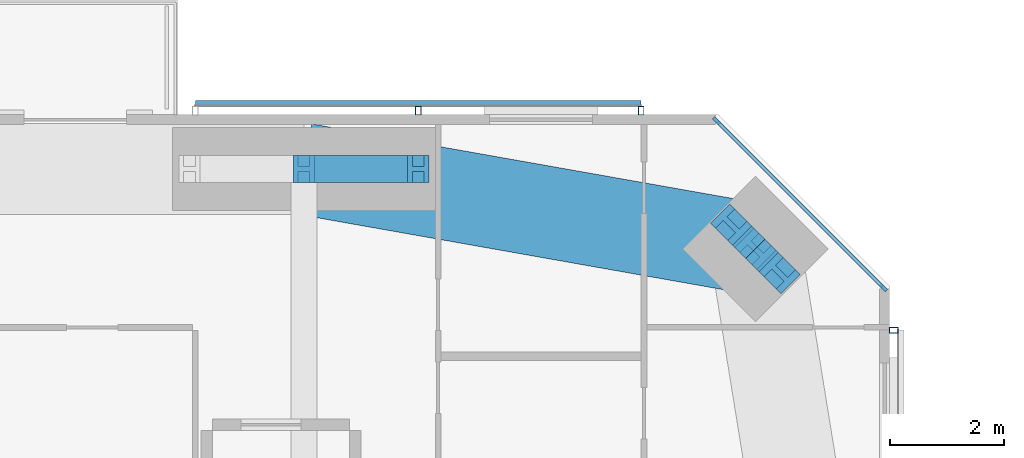
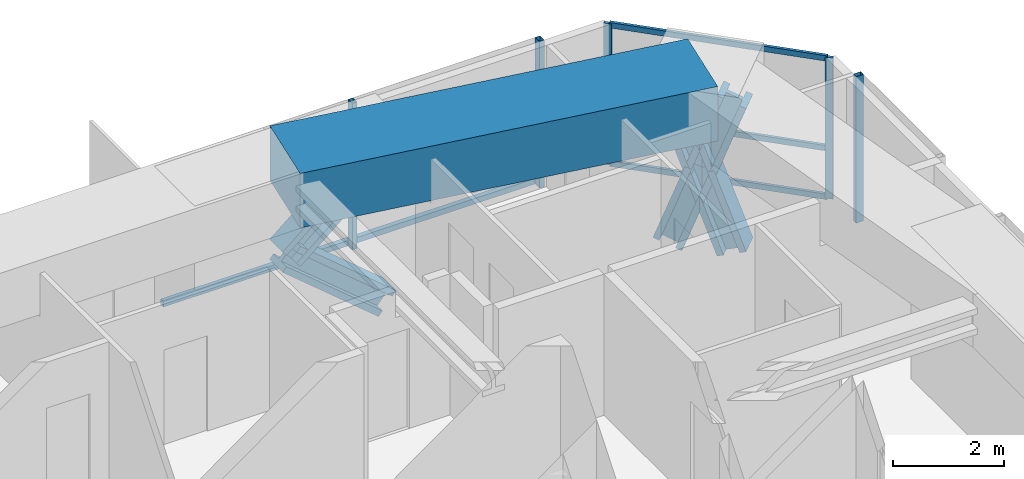
# One storey, part 13 of 23: 15 members, 1 beam, 3 elements without a shape of their own.
"""IFC4 building model written with IfcOpenShell, lengths in metres."""

from ifc_helpers import new_model, si_unit, direction, frame, origin, origin_2d, place, context, subcontext, project, spatial, rectangle, hollow_rectangle, i_section, extrude, material, material_profile, profile_set, type_object, element, aggregate, save


model = new_model("IFC4")

# Units and contexts
model_context = context("Model", 3, precision=1e-05, world=origin(), true_north=direction((0.0, 1.0)))
body_context = subcontext(model_context, "Body", "Model", "MODEL_VIEW")
ifc_project = project(units=[si_unit("LENGTHUNIT", "METRE"), si_unit("AREAUNIT", "SQUARE_METRE"), si_unit("VOLUMEUNIT", "CUBIC_METRE"), si_unit("PLANEANGLEUNIT", "RADIAN"), si_unit("MASSUNIT", "GRAM", prefix="KILO")], contexts=[model_context])

# Site, building, storey
site_placement = place(None, origin())
site = spatial("IfcSite", under=ifc_project, at=site_placement, CompositionType="ELEMENT")
building_placement = place(site_placement, origin())
building = spatial("IfcBuilding", under=site, at=building_placement, Name="Jalousie Tower", CompositionType="ELEMENT")
storey_placement = place(building_placement, frame((0.0, 0.0, 167.75)))
storey = spatial("IfcBuildingStorey", under=building, at=storey_placement, Name="L45", CompositionType="ELEMENT", Elevation=167.75)

# Curtain wall, members
ifc_material_1 = material(Name="Aluminium curtain wall", Category="aluminium")
curtain_wall_type_1 = type_object("IfcCurtainWallType", Name="CORNER WINDOW WALL", PredefinedType="USERDEFINED", material=ifc_material_1)
curtain_wall_1_placement = place(storey_placement, origin())
curtain_wall_1 = element("IfcCurtainWall", 1, at=curtain_wall_1_placement, inside=storey, type_object=curtain_wall_type_1, Name="Corner Window Wall L45 4", ObjectType="CORNER WINDOW WALL", PredefinedType="USERDEFINED")
ifc_material_2 = material(Name="Aluminium mullion", Category="aluminium")
ifc_material_profile_1 = material_profile(ifc_material_2, rectangle(XDim=0.06005859375, YDim=0.14990234375, at=origin_2d()), Name="MULLION 60x150")
ifc_profile_set_1 = profile_set([ifc_material_profile_1], Name="Aluminium mullion")
member_type_1 = type_object("IfcMemberType", Name="CORNER WINDOW WALL MULLION", PredefinedType="MULLION", material=ifc_profile_set_1)
member_1_placement = place(storey_placement, frame((52.891357421875, 32.969970703125, 0.0), z_axis=(0.0, 0.0, 1.0), x_axis=(-0.707106781187, -0.707106781187, 0.0)))
member_1 = element("IfcMember", 2, at=member_1_placement, type_object=member_type_1, Name="CW-C mullion 1", PredefinedType="MULLION", context=body_context, shape_type="SweptSolid", body=[
    extrude(rectangle(XDim=0.06005859375, YDim=0.14990234375, at=origin_2d()), origin(), (0.0, 0.0, 1.0), 3.110107421875),
])
member_2_placement = place(storey_placement, frame((49.969970703125, 35.891357421875, 0.0), z_axis=(0.0, 0.0, 1.0), x_axis=(-0.707106781187, -0.707106781187, 0.0)))
member_2 = element("IfcMember", 3, at=member_2_placement, type_object=member_type_1, Name="CW-C mullion 2", PredefinedType="MULLION", context=body_context, shape_type="SweptSolid", body=[
    extrude(rectangle(XDim=0.06005859375, YDim=0.14990234375, at=origin_2d()), origin(), (0.0, 0.0, 1.0), 3.110107421875),
])
ifc_material_3 = material(Name="Aluminium transom", Category="aluminium")
ifc_material_profile_2 = material_profile(ifc_material_3, rectangle(XDim=0.06005859375, YDim=0.1201171875, at=origin_2d()), Name="TRANSOM 60x120")
ifc_profile_set_2 = profile_set([ifc_material_profile_2], Name="Aluminium transom")
member_type_2 = type_object("IfcMemberType", Name="CORNER WINDOW WALL TRANSOM", PredefinedType="USERDEFINED", material=ifc_profile_set_2)
member_3_placement = place(storey_placement, frame((52.8701171875, 32.9912109375, 0.030029296875), z_axis=(-0.707106781187, 0.707106781187, 0.0), x_axis=(-0.707106781187, -0.707106781187, 0.0)))
member_3 = element("IfcMember", 4, at=member_3_placement, type_object=member_type_2, Name="CW-C transom 1.1", ObjectType="TRANSOM", PredefinedType="USERDEFINED", context=body_context, shape_type="SweptSolid", body=[
    extrude(rectangle(XDim=0.06005859375, YDim=0.1201171875, at=origin_2d()), origin(), (0.0, 0.0, 1.0), 4.0712890625),
])
member_4_placement = place(storey_placement, frame((52.8701171875, 32.9912109375, 1.10009765625), z_axis=(-0.707106781187, 0.707106781187, 0.0), x_axis=(-0.707106781187, -0.707106781187, 0.0)))
member_4 = element("IfcMember", 5, at=member_4_placement, type_object=member_type_2, Name="CW-C transom 1.2", ObjectType="TRANSOM", PredefinedType="USERDEFINED", context=body_context, shape_type="SweptSolid", body=[
    extrude(rectangle(XDim=0.06005859375, YDim=0.1201171875, at=origin_2d()), origin(), (0.0, 0.0, 1.0), 4.0712890625),
])
member_5_placement = place(storey_placement, frame((52.8701171875, 32.9912109375, 3.080078125), z_axis=(-0.707106781187, 0.707106781187, 0.0), x_axis=(-0.707106781187, -0.707106781187, 0.0)))
member_5 = element("IfcMember", 6, at=member_5_placement, type_object=member_type_2, Name="CW-C transom 1.3", ObjectType="TRANSOM", PredefinedType="USERDEFINED", context=body_context, shape_type="SweptSolid", body=[
    extrude(rectangle(XDim=0.06005859375, YDim=0.1201171875, at=origin_2d()), origin(), (0.0, 0.0, 1.0), 4.0712890625),
])
aggregate(curtain_wall_1, [member_1, member_2, member_3, member_4, member_5])

# Members
ifc_material_4 = material(Name="Steel ASTM A992 Grade 50", Category="steel")
ifc_material_profile_3 = material_profile(ifc_material_4, i_section(OverallWidth=0.472412109375, OverallDepth=0.5791015625, WebThickness=0.094970703125, FlangeThickness=0.1298828125, at=origin_2d()), Name="W14X808")
ifc_profile_set_3 = profile_set([ifc_material_profile_3], Name="Steel ASTM A992 Grade 50")
member_type_3 = type_object("IfcMemberType", Name="PERIMETER BRACE W14X808", PredefinedType="BRACE", material=ifc_profile_set_3)
for number, where, z_axis, x_axis, name in (
    (7, (51.07568359375, 33.227294921875, -0.60009765625), (-0.238345540878, 0.238482757655, 0.941444303953), (-0.707310235866, -0.706903267951, 0.0), "Perimeter brace 08 L45 part 1"),
    (8, (50.651611328125, 33.651611328125, 1.074951171875), (-0.238482757655, 0.238345540878, 0.941444303953), (-0.706903267951, -0.707310235866, 0.0), "Perimeter brace 08 L45 part 2"),
    (9, (50.227294921875, 34.07568359375, -0.60009765625), (0.238482757655, -0.238345540878, 0.941444303953), (0.706903267951, 0.707310235866, 0.0), "Perimeter brace 08 L45 part 3"),
    (10, (50.651611328125, 33.651611328125, 1.074951171875), (0.238345540878, -0.238482757655, 0.941444303953), (0.707310235866, 0.706903267951, 0.0), "Perimeter brace 08 L45 part 4"),
):
    element("IfcMember", number, at=place(storey_placement, frame(where, z_axis=z_axis, x_axis=x_axis)), inside=storey, type_object=member_type_3, Name=name, PredefinedType="BRACE", context=body_context, shape_type="SweptSolid", body=[
        extrude(i_section(OverallWidth=0.472412109375, OverallDepth=0.5791015625, WebThickness=0.094970703125, FlangeThickness=0.1298828125, at=origin_2d()), origin(), (0.0, 0.0, 1.0), 1.779296875),
    ])
for number, where, z_axis, x_axis, name in (
    (11, (42.75, 35.050048828125, 1.074951171875), (0.766638753323, 0.0, 0.642078672674), (0.0, 1.0, 0.0), "Perimeter brace 09 L45 part 2"),
    (12, (44.75, 35.050048828125, -0.60009765625), (-0.766638753323, 0.0, 0.642078672674), (0.0, -1.0, 0.0), "Perimeter brace 09 L45 part 3"),
):
    element("IfcMember", number, at=place(storey_placement, frame(where, z_axis=z_axis, x_axis=x_axis)), inside=storey, type_object=member_type_3, Name=name, PredefinedType="BRACE", context=body_context, shape_type="SweptSolid", body=[
        extrude(i_section(OverallWidth=0.472412109375, OverallDepth=0.5791015625, WebThickness=0.094970703125, FlangeThickness=0.1298828125, at=origin_2d()), origin(), (0.0, 0.0, 1.0), 2.60888671875),
    ])

# Beam
ifc_material_5 = material(Name="Concrete f'c 40 MPa", Category="concrete")
ifc_material_profile_4 = material_profile(ifc_material_5, rectangle(XDim=1.60009765625, YDim=1.199951171875, at=origin_2d()), Name="RC 1600x1200")
ifc_profile_set_4 = profile_set([ifc_material_profile_4], Name="Concrete f'c 40 MPa")
beam_type = type_object("IfcBeamType", Name="RC BEAM 1600x1200", PredefinedType="BEAM", material=ifc_profile_set_4)
beam_placement = place(storey_placement, frame((50.651611328125, 33.651611328125, 2.75), z_axis=(-0.984697370688, 0.174273027632, 0.0), x_axis=(-0.174273027632, -0.984697370688, 0.0)))
element("IfcBeam", 13, at=beam_placement, inside=storey, type_object=beam_type, Name="Edge band beam 08-09 under L46", PredefinedType="BEAM", context=body_context, shape_type="SweptSolid", body=[
    extrude(rectangle(XDim=1.60009765625, YDim=1.199951171875, at=origin_2d()), origin(), (0.0, 0.0, 1.0), 8.0244140625),
])

# Curtain wall, member
ifc_material_6 = material(Name="Perforated aluminium sheet", Category="aluminium")
curtain_wall_type_2 = type_object("IfcCurtainWallType", Name="SOLAR SCREEN SS-1", PredefinedType="USERDEFINED", material=ifc_material_6)
curtain_wall_2_placement = place(storey_placement, origin())
curtain_wall_2 = element("IfcCurtainWall", 14, at=curtain_wall_2_placement, inside=storey, type_object=curtain_wall_type_2, Name="Solar screen L45", ObjectType="SOLAR SCREEN SS-1", PredefinedType="USERDEFINED")
ifc_material_7 = material(Name="Steel ASTM A500 Grade C", Category="steel")
ifc_material_profile_5 = material_profile(ifc_material_7, hollow_rectangle(XDim=0.1015625, YDim=0.15234375, WallThickness=0.00634765625, at=origin_2d()), Name="HSS6X4X1/4")
ifc_profile_set_5 = profile_set([ifc_material_profile_5], Name="Steel ASTM A500 Grade C")
member_type_4 = type_object("IfcMemberType", Name="SOLAR SCREEN SS-1 MULLION", PredefinedType="MULLION", material=ifc_profile_set_5)
member_6_placement = place(storey_placement, frame((53.0712890625, 32.228759765625, -0.1201171875), z_axis=(0.0, 0.0, 1.0), x_axis=(0.0, 1.0, 0.0)))
member_6 = element("IfcMember", 15, at=member_6_placement, type_object=member_type_4, Name="SS1 post 2", PredefinedType="MULLION", context=body_context, shape_type="SweptSolid", body=[
    extrude(hollow_rectangle(XDim=0.1015625, YDim=0.15234375, WallThickness=0.00634765625, at=origin_2d()), origin(), (0.0, 0.0, 1.0), 3.230224609375),
])
aggregate(curtain_wall_2, [member_6])

# Curtain wall, members
curtain_wall_3_placement = place(storey_placement, origin())
curtain_wall_3 = element("IfcCurtainWall", 16, at=curtain_wall_3_placement, inside=storey, type_object=curtain_wall_type_2, Name="Solar screen L45", ObjectType="SOLAR SCREEN SS-1", PredefinedType="USERDEFINED")
member_7_placement = place(storey_placement, frame((48.64990234375, 36.0712890625, -0.1201171875), z_axis=(0.0, 0.0, 1.0), x_axis=(-1.0, 0.0, 0.0)))
member_7 = element("IfcMember", 17, at=member_7_placement, type_object=member_type_4, Name="SS1 post 1", PredefinedType="MULLION", context=body_context, shape_type="SweptSolid", body=[
    extrude(hollow_rectangle(XDim=0.1015625, YDim=0.15234375, WallThickness=0.00634765625, at=origin_2d()), origin(), (0.0, 0.0, 1.0), 3.230224609375),
])
member_8_placement = place(storey_placement, frame((44.75, 36.0712890625, -0.1201171875), z_axis=(0.0, 0.0, 1.0), x_axis=(-1.0, 0.0, 0.0)))
member_8 = element("IfcMember", 18, at=member_8_placement, type_object=member_type_4, Name="SS1 post 2", PredefinedType="MULLION", context=body_context, shape_type="SweptSolid", body=[
    extrude(hollow_rectangle(XDim=0.1015625, YDim=0.15234375, WallThickness=0.00634765625, at=origin_2d()), origin(), (0.0, 0.0, 1.0), 3.230224609375),
])
ifc_material_8 = material(Name="Extruded aluminium screen rail", Category="aluminium")
ifc_material_profile_6 = material_profile(ifc_material_8, rectangle(XDim=0.1015625, YDim=0.1201171875, at=origin_2d()), Name="RAIL 102x120")
ifc_profile_set_6 = profile_set([ifc_material_profile_6], Name="Extruded aluminium screen rail")
member_type_5 = type_object("IfcMemberType", Name="SOLAR SCREEN SS-1 TRANSOM", PredefinedType="USERDEFINED", material=ifc_profile_set_6)
member_9_placement = place(storey_placement, frame((48.64990234375, 36.1982421875, -0.06005859375), z_axis=(-1.0, 0.0, 0.0), x_axis=(0.0, -1.0, 0.0)))
member_9 = element("IfcMember", 19, at=member_9_placement, type_object=member_type_5, Name="SS1 rail", ObjectType="TRANSOM", PredefinedType="USERDEFINED", context=body_context, shape_type="SweptSolid", body=[
    extrude(rectangle(XDim=0.1015625, YDim=0.1201171875, at=origin_2d()), origin(), (0.0, 0.0, 1.0), 7.7998046875),
])
aggregate(curtain_wall_3, [member_7, member_8, member_9])

save(model, "model.ifc")
